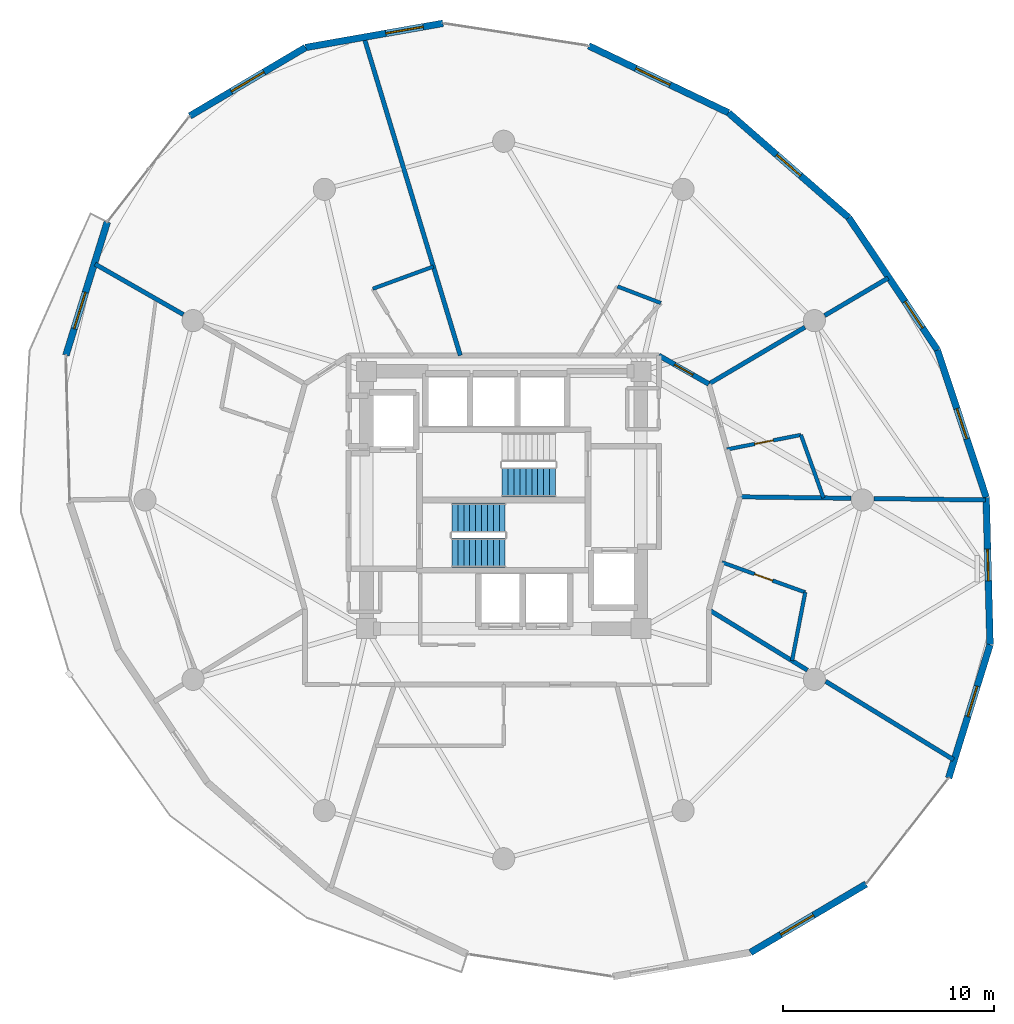
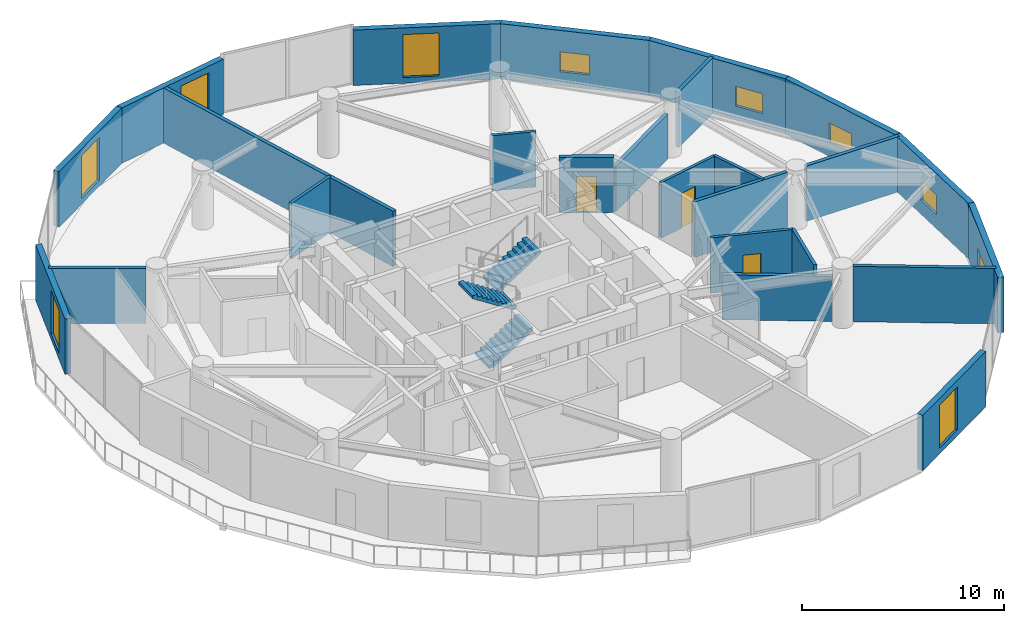
# One storey, part 17 of 20: 25 walls, 10 windows, 3 doors, 3 stair flights, 13 openings, 2 elements without a shape of their own.
"""IFC4 building model written with IfcOpenShell, lengths in metres."""

from ifc_helpers import new_model, si_unit, direction, frame, frame_2d, origin, place, context, subcontext, project, spatial, polyline, rectangle, outline, extrude, material, layer, layer_set, type_object, element, fill, aggregate, save


model = new_model("IFC4")

# Units and contexts
model_context = context("Model", 3, precision=1e-05, world=origin(), true_north=direction((0.0, 1.0)))
body_context = subcontext(model_context, "Body", "Model", "MODEL_VIEW")
ifc_project = project(units=[si_unit("LENGTHUNIT", "METRE"), si_unit("AREAUNIT", "SQUARE_METRE"), si_unit("VOLUMEUNIT", "CUBIC_METRE"), si_unit("PLANEANGLEUNIT", "RADIAN"), si_unit("MASSUNIT", "GRAM", prefix="KILO")], contexts=[model_context])

# Site, building, storey
site_placement = place(None, origin())
site = spatial("IfcSite", under=ifc_project, at=site_placement, CompositionType="ELEMENT")
building_placement = place(site_placement, origin())
building = spatial("IfcBuilding", under=site, at=building_placement, Name="Solvirekh Grand Hotel", CompositionType="ELEMENT")
storey_placement = place(building_placement, frame((0.0, 0.0, 156.60009765625)))
storey = spatial("IfcBuildingStorey", under=building, at=storey_placement, Name="L40", CompositionType="ELEMENT", Elevation=156.60009765625)

# Wall, opening, window
ifc_material_1 = material(Name="Precast concrete C45/55", Category="concrete")
ifc_layer_1 = layer(ifc_material_1, 0.320068359375)
ifc_layer_set_1 = layer_set([ifc_layer_1], Name="Precast concrete C45/55")
wall_type_1 = type_object("IfcWallType", Name="ExtLobbyWall_RC320", PredefinedType="SOLIDWALL", material=ifc_layer_set_1)
wall_1_placement = place(storey_placement, frame((23.048095703125, -6.860107421875, 0.0), z_axis=(0.0, 0.0, 1.0), x_axis=(-0.296546675367, -0.955018360729, 0.0)))
wall_1 = element("IfcWall", 1, at=wall_1_placement, inside=storey, type_object=wall_type_1, Name="L40 cantilevered deck support wall chord 2", PredefinedType="SOLIDWALL", context=body_context, shape_type="SweptSolid", body=[
    extrude(rectangle(XDim=6.61328125, YDim=0.320068359375, at=frame_2d((3.306640625, 0.0))), origin(), (0.0, 0.0, 1.0), 3.349853515625),
])
opening_1_placement = place(wall_1_placement, frame((2.05810546875, 0.0, 0.85009765625)))
opening_1 = element("IfcOpeningElement", 2, at=opening_1_placement, cuts=wall_1, Name="Opening W05", PredefinedType="OPENING", context=body_context, shape_type="SweptSolid", body=[
    extrude(rectangle(XDim=1.5, YDim=1.199951171875, at=frame_2d((0.75, 0.60009765625))), frame((0.0, 0.169921875, 0.0), z_axis=(0.0, -1.0, 0.0), x_axis=(1.0, 0.0, 0.0)), (0.0, 0.0, 1.0), 0.340087890625),
])
ifc_material_2 = material(Name="Low-E Tinted Bronze Laminated Glass", Category="aluminium")
window_type_1 = type_object("IfcWindowType", Name="Win_PlantVent_1500X1200", PartitioningType="SINGLE_PANEL", PredefinedType="WINDOW", material=ifc_material_2)
window_1_placement = place(opening_1_placement, origin())
window_1 = element("IfcWindow", 3, at=window_1_placement, inside=storey, type_object=window_type_1, Name="L40 bronze-framed vision ribbon window 2", OverallHeight=1.199951171875, OverallWidth=1.5, PartitioningType="SINGLE_PANEL", PredefinedType="WINDOW", context=body_context, shape_type="SweptSolid", body=[
    extrude(rectangle(XDim=1.5, YDim=1.199951171875, at=frame_2d((0.75, 0.60009765625))), frame((0.0, 0.030029296875, 0.0), z_axis=(0.0, -1.0, 0.0), x_axis=(1.0, 0.0, 0.0)), (0.0, 0.0, 1.0), 0.06005859375),
])
fill(opening_1, window_1)

wall_2_placement = place(storey_placement, frame((22.864990234375, 0.126953125, 0.0), z_axis=(0.0, 0.0, 1.0), x_axis=(0.026197372112, -0.999656789951, 0.0)))
wall_2 = element("IfcWall", 4, at=wall_2_placement, inside=storey, type_object=wall_type_1, Name="L40 cantilevered deck support wall chord 3", PredefinedType="SOLIDWALL", context=body_context, shape_type="SweptSolid", body=[
    extrude(rectangle(XDim=6.989501953125, YDim=0.320068359375, at=frame_2d((3.49462890625, 0.0))), origin(), (0.0, 0.0, 1.0), 3.349853515625),
])
opening_2_placement = place(wall_2_placement, frame((2.4580078125, 0.0, 0.85009765625)))
opening_2 = element("IfcOpeningElement", 5, at=opening_2_placement, cuts=wall_2, Name="Opening W05", PredefinedType="OPENING", context=body_context, shape_type="SweptSolid", body=[
    extrude(rectangle(XDim=1.5, YDim=1.199951171875, at=frame_2d((0.75, 0.60009765625))), frame((0.0, 0.169921875, 0.0), z_axis=(0.0, -1.0, 0.0), x_axis=(1.0, 0.0, 0.0)), (0.0, 0.0, 1.0), 0.340087890625),
])
window_2_placement = place(opening_2_placement, origin())
window_2 = element("IfcWindow", 6, at=window_2_placement, inside=storey, type_object=window_type_1, Name="L40 bronze-framed vision ribbon window 3", OverallHeight=1.199951171875, OverallWidth=1.5, PartitioningType="SINGLE_PANEL", PredefinedType="WINDOW", context=body_context, shape_type="SweptSolid", body=[
    extrude(rectangle(XDim=1.5, YDim=1.199951171875, at=frame_2d((0.75, 0.60009765625))), frame((0.0, 0.030029296875, 0.0), z_axis=(0.0, -1.0, 0.0), x_axis=(1.0, 0.0, 0.0)), (0.0, 0.0, 1.0), 0.06005859375),
])
fill(opening_2, window_2)

wall_3_placement = place(storey_placement, frame((20.556884765625, 7.10205078125, 0.0), z_axis=(0.0, 0.0, 1.0), x_axis=(0.314153478082, -0.94937220952, 0.0)))
wall_3 = element("IfcWall", 7, at=wall_3_placement, inside=storey, type_object=wall_type_1, Name="L40 cantilevered deck support wall chord 4", PredefinedType="SOLIDWALL", context=body_context, shape_type="SweptSolid", body=[
    extrude(rectangle(XDim=7.34716796875, YDim=0.320068359375, at=frame_2d((3.673583984375, 0.0))), origin(), (0.0, 0.0, 1.0), 3.349853515625),
])
opening_3_placement = place(wall_3_placement, frame((2.923095703125, 0.0, 0.85009765625)))
opening_3 = element("IfcOpeningElement", 8, at=opening_3_placement, cuts=wall_3, Name="Opening W05", PredefinedType="OPENING", context=body_context, shape_type="SweptSolid", body=[
    extrude(rectangle(XDim=1.5, YDim=1.199951171875, at=frame_2d((0.75, 0.60009765625))), frame((0.0, 0.169921875, 0.0), z_axis=(0.0, -1.0, 0.0), x_axis=(1.0, 0.0, 0.0)), (0.0, 0.0, 1.0), 0.340087890625),
])
window_3_placement = place(opening_3_placement, origin())
window_3 = element("IfcWindow", 9, at=window_3_placement, inside=storey, type_object=window_type_1, Name="L40 bronze-framed vision ribbon window 4", OverallHeight=1.199951171875, OverallWidth=1.5, PartitioningType="SINGLE_PANEL", PredefinedType="WINDOW", context=body_context, shape_type="SweptSolid", body=[
    extrude(rectangle(XDim=1.5, YDim=1.199951171875, at=frame_2d((0.75, 0.60009765625))), frame((0.0, 0.030029296875, 0.0), z_axis=(0.0, -1.0, 0.0), x_axis=(1.0, 0.0, 0.0)), (0.0, 0.0, 1.0), 0.06005859375),
])
fill(opening_3, window_3)

wall_4_placement = place(storey_placement, frame((16.34912109375, 13.381103515625, 0.0), z_axis=(0.0, 0.0, 1.0), x_axis=(0.556688780243, -0.830721133685, 0.0)))
wall_4 = element("IfcWall", 10, at=wall_4_placement, inside=storey, type_object=wall_type_1, Name="L40 cantilevered deck support wall chord 5", PredefinedType="SOLIDWALL", context=body_context, shape_type="SweptSolid", body=[
    extrude(rectangle(XDim=7.55859375, YDim=0.320068359375, at=frame_2d((3.779296875, 0.0))), origin(), (0.0, 0.0, 1.0), 3.349853515625),
])
opening_4_placement = place(wall_4_placement, frame((4.7890625, 0.0, 0.85009765625)))
opening_4 = element("IfcOpeningElement", 11, at=opening_4_placement, cuts=wall_4, Name="Opening W05", PredefinedType="OPENING", context=body_context, shape_type="SweptSolid", body=[
    extrude(rectangle(XDim=1.5, YDim=1.199951171875, at=frame_2d((0.75, 0.60009765625))), frame((0.0, 0.169921875, 0.0), z_axis=(0.0, -1.0, 0.0), x_axis=(1.0, 0.0, 0.0)), (0.0, 0.0, 1.0), 0.340087890625),
])
window_4_placement = place(opening_4_placement, origin())
window_4 = element("IfcWindow", 12, at=window_4_placement, inside=storey, type_object=window_type_1, Name="L40 bronze-framed vision ribbon window 5", OverallHeight=1.199951171875, OverallWidth=1.5, PartitioningType="SINGLE_PANEL", PredefinedType="WINDOW", context=body_context, shape_type="SweptSolid", body=[
    extrude(rectangle(XDim=1.5, YDim=1.199951171875, at=frame_2d((0.75, 0.60009765625))), frame((0.0, 0.030029296875, 0.0), z_axis=(0.0, -1.0, 0.0), x_axis=(1.0, 0.0, 0.0)), (0.0, 0.0, 1.0), 0.06005859375),
])
fill(opening_4, window_4)

wall_5_placement = place(storey_placement, frame((10.653076171875, 18.35107421875, 0.0), z_axis=(0.0, 0.0, 1.0), x_axis=(0.753498250632, -0.657449911624, 0.0)))
wall_5 = element("IfcWall", 13, at=wall_5_placement, inside=storey, type_object=wall_type_1, Name="L40 cantilevered deck support wall chord 6", PredefinedType="SOLIDWALL", context=body_context, shape_type="SweptSolid", body=[
    extrude(rectangle(XDim=7.5595703125, YDim=0.320068359375, at=frame_2d((3.77978515625, 0.0))), origin(), (0.0, 0.0, 1.0), 3.349853515625),
])
opening_5_placement = place(wall_5_placement, frame((3.030029296875, 0.0, 0.85009765625)))
opening_5 = element("IfcOpeningElement", 14, at=opening_5_placement, cuts=wall_5, Name="Opening W05", PredefinedType="OPENING", context=body_context, shape_type="SweptSolid", body=[
    extrude(rectangle(XDim=1.5, YDim=1.199951171875, at=frame_2d((0.75, 0.60009765625))), frame((0.0, 0.169921875, 0.0), z_axis=(0.0, -1.0, 0.0), x_axis=(1.0, 0.0, 0.0)), (0.0, 0.0, 1.0), 0.340087890625),
])
window_5_placement = place(opening_5_placement, origin())
window_5 = element("IfcWindow", 15, at=window_5_placement, inside=storey, type_object=window_type_1, Name="L40 bronze-framed vision ribbon window 6", OverallHeight=1.199951171875, OverallWidth=1.5, PartitioningType="SINGLE_PANEL", PredefinedType="WINDOW", context=body_context, shape_type="SweptSolid", body=[
    extrude(rectangle(XDim=1.5, YDim=1.199951171875, at=frame_2d((0.75, 0.60009765625))), frame((0.0, 0.030029296875, 0.0), z_axis=(0.0, -1.0, 0.0), x_axis=(1.0, 0.0, 0.0)), (0.0, 0.0, 1.0), 0.06005859375),
])
fill(opening_5, window_5)

wall_6_placement = place(storey_placement, frame((4.028076171875, 21.52392578125, 0.0), z_axis=(0.0, 0.0, 1.0), x_axis=(0.901902357259, -0.431939970332, 0.0)))
wall_6 = element("IfcWall", 16, at=wall_6_placement, inside=storey, type_object=wall_type_1, Name="L40 exterior structural wall chord 7", PredefinedType="SOLIDWALL", context=body_context, shape_type="SweptSolid", body=[
    extrude(rectangle(XDim=7.345703125, YDim=0.320068359375, at=frame_2d((3.6728515625, 0.0))), origin(), (0.0, 0.0, 1.0), 3.349853515625),
])
opening_6_placement = place(wall_6_placement, frame((2.47412109375, 0.0, 0.35009765625)))
opening_6 = element("IfcOpeningElement", 17, at=opening_6_placement, cuts=wall_6, Name="Opening W02", PredefinedType="OPENING", context=body_context, shape_type="SweptSolid", body=[
    extrude(rectangle(XDim=1.800048828125, YDim=2.60009765625, at=frame_2d((0.89990234375, 1.300048828125))), frame((0.0, 0.169921875, 0.0), z_axis=(0.0, -1.0, 0.0), x_axis=(1.0, 0.0, 0.0)), (0.0, 0.0, 1.0), 0.340087890625),
])
window_type_2 = type_object("IfcWindowType", Name="Win_LobbyExt_1800X2600", PartitioningType="SINGLE_PANEL", PredefinedType="WINDOW", material=ifc_material_2)
window_6_placement = place(opening_6_placement, origin())
window_6 = element("IfcWindow", 18, at=window_6_placement, inside=storey, type_object=window_type_2, Name="L40 panoramic bronze-framed window 7", OverallHeight=2.60009765625, OverallWidth=1.800048828125, PartitioningType="SINGLE_PANEL", PredefinedType="WINDOW", context=body_context, shape_type="SweptSolid", body=[
    extrude(rectangle(XDim=1.800048828125, YDim=2.60009765625, at=frame_2d((0.89990234375, 1.300048828125))), frame((0.0, 0.030029296875, 0.0), z_axis=(0.0, -1.0, 0.0), x_axis=(1.0, 0.0, 0.0)), (0.0, 0.0, 1.0), 0.06005859375),
])
fill(opening_6, window_6)

wall_7_placement = place(storey_placement, frame((-9.39306640625, 21.445068359375, 0.0), z_axis=(0.0, 0.0, 1.0), x_axis=(0.984896334406, 0.173145056165, 0.0)))
wall_7 = element("IfcWall", 19, at=wall_7_placement, inside=storey, type_object=wall_type_1, Name="L40 exterior structural wall chord 9", PredefinedType="SOLIDWALL", context=body_context, shape_type="SweptSolid", body=[
    extrude(rectangle(XDim=6.613037109375, YDim=0.320068359375, at=frame_2d((3.306640625, 0.0))), origin(), (0.0, 0.0, 1.0), 3.349853515625),
])
opening_7_placement = place(wall_7_placement, frame((3.865966796875, 0.0, 0.35009765625)))
opening_7 = element("IfcOpeningElement", 20, at=opening_7_placement, cuts=wall_7, Name="Opening W02", PredefinedType="OPENING", context=body_context, shape_type="SweptSolid", body=[
    extrude(rectangle(XDim=1.800048828125, YDim=2.60009765625, at=frame_2d((0.89990234375, 1.300048828125))), frame((0.0, 0.169921875, 0.0), z_axis=(0.0, -1.0, 0.0), x_axis=(1.0, 0.0, 0.0)), (0.0, 0.0, 1.0), 0.340087890625),
])
window_7_placement = place(opening_7_placement, origin())
window_7 = element("IfcWindow", 21, at=window_7_placement, inside=storey, type_object=window_type_2, Name="L40 panoramic bronze-framed window 9", OverallHeight=2.60009765625, OverallWidth=1.800048828125, PartitioningType="SINGLE_PANEL", PredefinedType="WINDOW", context=body_context, shape_type="SweptSolid", body=[
    extrude(rectangle(XDim=1.800048828125, YDim=2.60009765625, at=frame_2d((0.89990234375, 1.300048828125))), frame((0.0, 0.030029296875, 0.0), z_axis=(0.0, -1.0, 0.0), x_axis=(1.0, 0.0, 0.0)), (0.0, 0.0, 1.0), 0.06005859375),
])
fill(opening_7, window_7)

wall_8_placement = place(storey_placement, frame((-14.8740234375, 18.200927734375, 0.0), z_axis=(0.0, 0.0, 1.0), x_axis=(0.860555423253, 0.50935681355, 0.0)))
wall_8 = element("IfcWall", 22, at=wall_8_placement, inside=storey, type_object=wall_type_1, Name="L40 exterior structural wall chord 10", PredefinedType="SOLIDWALL", context=body_context, shape_type="SweptSolid", body=[
    extrude(rectangle(XDim=6.369140625, YDim=0.320068359375, at=frame_2d((3.1845703125, 0.0))), origin(), (0.0, 0.0, 1.0), 3.349853515625),
])
opening_8_placement = place(wall_8_placement, frame((2.284912109375, 0.0, 0.35009765625)))
opening_8 = element("IfcOpeningElement", 23, at=opening_8_placement, cuts=wall_8, Name="Opening W02", PredefinedType="OPENING", context=body_context, shape_type="SweptSolid", body=[
    extrude(rectangle(XDim=1.800048828125, YDim=2.60009765625, at=frame_2d((0.89990234375, 1.300048828125))), frame((0.0, 0.169921875, 0.0), z_axis=(0.0, -1.0, 0.0), x_axis=(1.0, 0.0, 0.0)), (0.0, 0.0, 1.0), 0.340087890625),
])
window_8_placement = place(opening_8_placement, origin())
window_8 = element("IfcWindow", 24, at=window_8_placement, inside=storey, type_object=window_type_2, Name="L40 panoramic bronze-framed window 10", OverallHeight=2.60009765625, OverallWidth=1.800048828125, PartitioningType="SINGLE_PANEL", PredefinedType="WINDOW", context=body_context, shape_type="SweptSolid", body=[
    extrude(rectangle(XDim=1.800048828125, YDim=2.60009765625, at=frame_2d((0.89990234375, 1.300048828125))), frame((0.0, 0.030029296875, 0.0), z_axis=(0.0, -1.0, 0.0), x_axis=(1.0, 0.0, 0.0)), (0.0, 0.0, 1.0), 0.06005859375),
])
fill(opening_8, window_8)

wall_9_placement = place(storey_placement, frame((-20.748046875, 6.860107421875, 0.0), z_axis=(0.0, 0.0, 1.0), x_axis=(0.296513005153, 0.955028815154, 0.0)))
wall_9 = element("IfcWall", 25, at=wall_9_placement, inside=storey, type_object=wall_type_1, Name="L40 exterior structural wall chord 12", PredefinedType="SOLIDWALL", context=body_context, shape_type="SweptSolid", body=[
    extrude(rectangle(XDim=6.61328125, YDim=0.320068359375, at=frame_2d((3.306640625, 0.0))), origin(), (0.0, 0.0, 1.0), 3.349853515625),
])
opening_9_placement = place(wall_9_placement, frame((1.318115234375, 0.0, 0.35009765625)))
opening_9 = element("IfcOpeningElement", 26, at=opening_9_placement, cuts=wall_9, Name="Opening W02", PredefinedType="OPENING", context=body_context, shape_type="SweptSolid", body=[
    extrude(rectangle(XDim=1.800048828125, YDim=2.60009765625, at=frame_2d((0.89990234375, 1.300048828125))), frame((0.0, 0.169921875, 0.0), z_axis=(0.0, -1.0, 0.0), x_axis=(1.0, 0.0, 0.0)), (0.0, 0.0, 1.0), 0.340087890625),
])
window_9_placement = place(opening_9_placement, origin())
window_9 = element("IfcWindow", 27, at=window_9_placement, inside=storey, type_object=window_type_2, Name="L40 panoramic bronze-framed window 12", OverallHeight=2.60009765625, OverallWidth=1.800048828125, PartitioningType="SINGLE_PANEL", PredefinedType="WINDOW", context=body_context, shape_type="SweptSolid", body=[
    extrude(rectangle(XDim=1.800048828125, YDim=2.60009765625, at=frame_2d((0.89990234375, 1.300048828125))), frame((0.0, 0.030029296875, 0.0), z_axis=(0.0, -1.0, 0.0), x_axis=(1.0, 0.0, 0.0)), (0.0, 0.0, 1.0), 0.06005859375),
])
fill(opening_9, window_9)

wall_10_placement = place(storey_placement, frame((17.174072265625, -18.200927734375, 0.0), z_axis=(0.0, 0.0, 1.0), x_axis=(-0.860555423253, -0.50935681355, 0.0)))
wall_10 = element("IfcWall", 28, at=wall_10_placement, inside=storey, type_object=wall_type_1, Name="L40 exterior structural wall chord 20", PredefinedType="SOLIDWALL", context=body_context, shape_type="SweptSolid", body=[
    extrude(rectangle(XDim=6.369140625, YDim=0.320068359375, at=frame_2d((3.1845703125, 0.0))), origin(), (0.0, 0.0, 1.0), 3.349853515625),
])
opening_10_placement = place(wall_10_placement, frame((2.90087890625, 0.0, 0.35009765625)))
opening_10 = element("IfcOpeningElement", 29, at=opening_10_placement, cuts=wall_10, Name="Opening W02", PredefinedType="OPENING", context=body_context, shape_type="SweptSolid", body=[
    extrude(rectangle(XDim=1.800048828125, YDim=2.60009765625, at=frame_2d((0.89990234375, 1.300048828125))), frame((0.0, 0.169921875, 0.0), z_axis=(0.0, -1.0, 0.0), x_axis=(1.0, 0.0, 0.0)), (0.0, 0.0, 1.0), 0.340087890625),
])
window_10_placement = place(opening_10_placement, origin())
window_10 = element("IfcWindow", 30, at=window_10_placement, inside=storey, type_object=window_type_2, Name="L40 panoramic bronze-framed window 20", OverallHeight=2.60009765625, OverallWidth=1.800048828125, PartitioningType="SINGLE_PANEL", PredefinedType="WINDOW", context=body_context, shape_type="SweptSolid", body=[
    extrude(rectangle(XDim=1.800048828125, YDim=2.60009765625, at=frame_2d((0.89990234375, 1.300048828125))), frame((0.0, 0.030029296875, 0.0), z_axis=(0.0, -1.0, 0.0), x_axis=(1.0, 0.0, 0.0)), (0.0, 0.0, 1.0), 0.06005859375),
])
fill(opening_10, window_10)

# Wall, opening, door
ifc_material_3 = material(Name="Acoustic Gypsum Partition Assembly")
ifc_layer_2 = layer(ifc_material_3, 0.239990234375)
ifc_layer_set_2 = layer_set([ifc_layer_2], Name="Acoustic Gypsum Partition Assembly")
wall_type_2 = type_object("IfcWallType", Name="Part_Corridor_240", PredefinedType="PARTITIONING", material=ifc_layer_set_2)
wall_11_placement = place(storey_placement, frame((7.35009765625, 6.85009765625, 0.0), z_axis=(0.0, 0.0, 1.0), x_axis=(0.868892391395, -0.495001022398, 0.0)))
wall_11 = element("IfcWall", 31, at=wall_11_placement, inside=storey, type_object=wall_type_2, Name="L40 Deluxe Guestroom 4201 entrance wall", PredefinedType="PARTITIONING", context=body_context, shape_type="SweptSolid", body=[
    extrude(rectangle(XDim=2.7275390625, YDim=0.239990234375, at=frame_2d((1.36376953125, 0.0))), origin(), (0.0, 0.0, 1.0), 3.349853515625),
])
opening_11_placement = place(wall_11_placement, frame((0.864013671875, 0.0, 0.0)))
opening_11 = element("IfcOpeningElement", 32, at=opening_11_placement, cuts=wall_11, Name="Opening D07", PredefinedType="OPENING", context=body_context, shape_type="SweptSolid", body=[
    extrude(rectangle(XDim=1.0, YDim=2.199951171875, at=frame_2d((0.5, 1.10009765625))), frame((0.0, 0.1298828125, 0.0), z_axis=(0.0, -1.0, 0.0), x_axis=(1.0, 0.0, 0.0)), (0.0, 0.0, 1.0), 0.260009765625),
])
ifc_material_4 = material(Name="Fire-Rated Steel Door Assembly", Category="steel")
door_type_1 = type_object("IfcDoorType", Name="Door_GuestEntry_1000X2200", OperationType="NOTDEFINED", PredefinedType="DOOR", material=ifc_material_4)
door_1_placement = place(opening_11_placement, origin())
door_1 = element("IfcDoor", 33, at=door_1_placement, inside=storey, type_object=door_type_1, Name="L40 Deluxe Guestroom 4201 entrance door", OperationType="SINGLE_SWING_LEFT", OverallHeight=2.199951171875, OverallWidth=1.0, PredefinedType="DOOR", context=body_context, shape_type="SweptSolid", body=[
    extrude(rectangle(XDim=1.0, YDim=2.199951171875, at=frame_2d((0.5, 1.10009765625))), frame((0.0, 0.02490234375, 0.0), z_axis=(0.0, -1.0, 0.0), x_axis=(1.0, 0.0, 0.0)), (0.0, 0.0, 1.0), 0.050048828125),
])
fill(opening_11, door_1)

# Walls
ifc_layer_3 = layer(ifc_material_3, 0.2099609375)
ifc_layer_set_3 = layer_set([ifc_layer_3], Name="Acoustic Gypsum Partition Assembly")
wall_type_3 = type_object("IfcWallType", Name="Part_SuiteDemise_210", PredefinedType="PARTITIONING", material=ifc_layer_set_3)
wall_12_placement = place(storey_placement, frame((11.199951171875, 0.14990234375, 0.0), z_axis=(0.0, 0.0, 1.0), x_axis=(0.99991679467, -0.012899757247, 0.0)))
element("IfcWall", 34, at=wall_12_placement, inside=storey, type_object=wall_type_3, Name="L40 suite radial wall 1 (A)", PredefinedType="PARTITIONING", context=body_context, shape_type="SweptSolid", body=[
    extrude(rectangle(XDim=5.261474609375, YDim=0.2099609375, at=frame_2d((2.630859375, 0.0))), origin(), (0.0, 0.0, 1.0), 3.349853515625),
])
wall_13_placement = place(storey_placement, frame((17.541015625, 0.068115234375, 0.0), z_axis=(0.0, 0.0, 1.0), x_axis=(0.9999170134, -0.012882791353, 0.0)))
element("IfcWall", 35, at=wall_13_placement, inside=storey, type_object=wall_type_3, Name="L40 suite radial wall 1 (B)", PredefinedType="PARTITIONING", context=body_context, shape_type="SweptSolid", body=[
    extrude(rectangle(XDim=5.287353515625, YDim=0.2099609375, at=frame_2d((2.6435546875, 0.0))), origin(), (0.0, 0.0, 1.0), 3.349853515625),
])
wall_14_placement = place(storey_placement, frame((9.719970703125, 5.5, 0.0), z_axis=(0.0, 0.0, 1.0), x_axis=(0.861092827296, 0.508447777829, 0.0)))
element("IfcWall", 36, at=wall_14_placement, inside=storey, type_object=wall_type_3, Name="L40 suite radial wall 2 (A)", PredefinedType="PARTITIONING", context=body_context, shape_type="SweptSolid", body=[
    extrude(rectangle(XDim=5.28857421875, YDim=0.2099609375, at=frame_2d((2.644287109375, 0.0))), origin(), (0.0, 0.0, 1.0), 2.716796875),
])
wall_15_placement = place(storey_placement, frame((15.2099609375, 8.741943359375, 0.0), z_axis=(0.0, 0.0, 1.0), x_axis=(0.861047505043, 0.508524526508, 0.0)))
element("IfcWall", 37, at=wall_15_placement, inside=storey, type_object=wall_type_3, Name="L40 suite radial wall 2 (B)", PredefinedType="PARTITIONING", context=body_context, shape_type="SweptSolid", body=[
    extrude(rectangle(XDim=3.49462890625, YDim=0.2099609375, at=frame_2d((1.747314453125, 0.0))), origin(), (0.0, 0.0, 1.0), 3.349853515625),
])
wall_16_placement = place(storey_placement, frame((-15.18310546875, 8.791015625, 0.0), z_axis=(0.0, 0.0, 1.0), x_axis=(-0.868271208713, 0.496089818601, 0.0)))
element("IfcWall", 38, at=wall_16_placement, inside=storey, type_object=wall_type_3, Name="L40 suite radial wall 6 (B)", PredefinedType="PARTITIONING", context=body_context, shape_type="SweptSolid", body=[
    extrude(rectangle(XDim=4.8173828125, YDim=0.2099609375, at=frame_2d((2.40869140625, 0.0))), origin(), (0.0, 0.0, 1.0), 3.349853515625),
])
wall_17_placement = place(storey_placement, frame((9.719970703125, -5.199951171875, 0.0), z_axis=(0.0, 0.0, 1.0), x_axis=(0.852582050819, -0.52259338555, 0.0)))
element("IfcWall", 39, at=wall_17_placement, inside=storey, type_object=wall_type_3, Name="L40 suite radial wall 12 (A)", PredefinedType="PARTITIONING", context=body_context, shape_type="SweptSolid", body=[
    extrude(rectangle(XDim=5.482177734375, YDim=0.2099609375, at=frame_2d((2.7412109375, 0.0))), origin(), (0.0, 0.0, 1.0), 2.716796875),
])
wall_18_placement = place(storey_placement, frame((15.259033203125, -8.594970703125, 0.0), z_axis=(0.0, 0.0, 1.0), x_axis=(0.852624466561, -0.522524180322, 0.0)))
element("IfcWall", 40, at=wall_18_placement, inside=storey, type_object=wall_type_3, Name="L40 suite radial wall 12 (B)", PredefinedType="PARTITIONING", context=body_context, shape_type="SweptSolid", body=[
    extrude(rectangle(XDim=7.103759765625, YDim=0.2099609375, at=frame_2d((3.5517578125, 0.0))), origin(), (0.0, 0.0, 1.0), 3.349853515625),
])
wall_19_placement = place(storey_placement, frame((-2.05810546875, 6.85009765625, 0.0), z_axis=(0.0, 0.0, 1.0), x_axis=(-0.289612905442, 0.957143858049, 0.0)))
element("IfcWall", 41, at=wall_19_placement, inside=storey, type_object=wall_type_3, Name="L40 Panorama Suite 4201 North Observatory Study dividing partition 1", PredefinedType="PARTITIONING", context=body_context, shape_type="SweptSolid", body=[
    extrude(rectangle(XDim=15.717529296875, YDim=0.2099609375, at=frame_2d((7.85888671875, 0.0))), origin(), (0.0, 0.0, 1.0), 3.349853515625),
])
ifc_layer_4 = layer(ifc_material_3, 0.175048828125)
ifc_layer_set_4 = layer_set([ifc_layer_4], Name="Acoustic Gypsum Partition Assembly")
wall_type_4 = type_object("IfcWallType", Name="Plumb_Ensuite_175", PredefinedType="PLUMBINGWALL", material=ifc_layer_set_4)
wall_20_placement = place(storey_placement, frame((5.39306640625, 10.1201171875, 0.0), z_axis=(0.0, 0.0, 1.0), x_axis=(0.933965679014, -0.357362715492, 0.0)))
element("IfcWall", 42, at=wall_20_placement, inside=storey, type_object=wall_type_4, Name="L40 En-suite Bathroom 4201 outer plumbing wall", PredefinedType="PLUMBINGWALL", context=body_context, shape_type="SweptSolid", body=[
    extrude(rectangle(XDim=2.197021484375, YDim=0.175048828125, at=frame_2d((1.0986328125, 0.0))), origin(), (0.0, 0.0, 1.0), 3.349853515625),
])
wall_21_placement = place(storey_placement, frame((-6.202880859375, 10.011962890625, 0.0), z_axis=(0.0, 0.0, 1.0), x_axis=(0.939112792054, 0.343609027531, 0.0)))
element("IfcWall", 43, at=wall_21_placement, inside=storey, type_object=wall_type_4, Name="L40 En-suite Bathroom 4202 outer plumbing wall", PredefinedType="PLUMBINGWALL", context=body_context, shape_type="SweptSolid", body=[
    extrude(rectangle(XDim=3.055908203125, YDim=0.175048828125, at=frame_2d((1.52783203125, 0.0))), origin(), (0.0, 0.0, 1.0), 3.349853515625),
])
wall_22_placement = place(storey_placement, frame((13.6630859375, -7.615966796875, 0.0), z_axis=(0.0, 0.0, 1.0), x_axis=(0.189695238056, 0.981843020375, 0.0)))
element("IfcWall", 44, at=wall_22_placement, inside=storey, type_object=wall_type_4, Name="L40 En-suite Bathroom 4204 outer plumbing wall", PredefinedType="PLUMBINGWALL", context=body_context, shape_type="SweptSolid", body=[
    extrude(rectangle(XDim=3.2998046875, YDim=0.175048828125, at=frame_2d((1.64990234375, 0.0))), origin(), (0.0, 0.0, 1.0), 3.349853515625),
])

# Wall, opening, door
wall_23_placement = place(storey_placement, frame((10.342041015625, -2.952880859375, 0.0), z_axis=(0.0, 0.0, 1.0), x_axis=(0.940722627473, -0.33917685381, 0.0)))
wall_23 = element("IfcWall", 45, at=wall_23_placement, inside=storey, type_object=wall_type_4, Name="L40 En-suite Bathroom 4204 entry plumbing wall", PredefinedType="PLUMBINGWALL", context=body_context, shape_type="SweptSolid", body=[
    extrude(rectangle(XDim=4.19580078125, YDim=0.175048828125, at=frame_2d((2.097900390625, 0.0))), origin(), (0.0, 0.0, 1.0), 3.349853515625),
])
opening_12_placement = place(wall_23_placement, frame((1.64794921875, 0.0, 0.0)))
opening_12 = element("IfcOpeningElement", 46, at=opening_12_placement, cuts=wall_23, Name="Opening D09", PredefinedType="OPENING", context=body_context, shape_type="SweptSolid", body=[
    extrude(rectangle(XDim=0.89990234375, YDim=2.10009765625, at=frame_2d((0.449951171875, 1.050048828125))), frame((0.0, 0.09765625, 0.0), z_axis=(0.0, -1.0, 0.0), x_axis=(1.0, 0.0, 0.0)), (0.0, 0.0, 1.0), 0.195068359375),
])
ifc_material_5 = material(Name="Anodized Bronze Aluminium 6063-T6", Category="aluminium")
door_type_2 = type_object("IfcDoorType", Name="Door_Ensuite_900X2100", OperationType="NOTDEFINED", PredefinedType="DOOR", material=ifc_material_5)
door_2_placement = place(opening_12_placement, origin())
door_2 = element("IfcDoor", 47, at=door_2_placement, inside=storey, type_object=door_type_2, Name="L40 En-suite Bathroom 4204 door", OperationType="SINGLE_SWING_LEFT", OverallHeight=2.10009765625, OverallWidth=0.89990234375, PredefinedType="DOOR", context=body_context, shape_type="SweptSolid", body=[
    extrude(rectangle(XDim=0.89990234375, YDim=2.10009765625, at=frame_2d((0.449951171875, 1.050048828125))), frame((0.0, 0.02490234375, 0.0), z_axis=(0.0, -1.0, 0.0), x_axis=(1.0, 0.0, 0.0)), (0.0, 0.0, 1.0), 0.050048828125),
])
fill(opening_12, door_2)

# Wall
wall_24_placement = place(storey_placement, frame((15.154052734375, 0.09912109375, 0.0), z_axis=(0.0, 0.0, 1.0), x_axis=(-0.337194784979, 0.94143490321, 0.0)))
element("IfcWall", 48, at=wall_24_placement, inside=storey, type_object=wall_type_4, Name="L40 En-suite Bathroom 4205 outer plumbing wall", PredefinedType="PLUMBINGWALL", context=body_context, shape_type="SweptSolid", body=[
    extrude(rectangle(XDim=3.170654296875, YDim=0.175048828125, at=frame_2d((1.58544921875, 0.0))), origin(), (0.0, 0.0, 1.0), 3.349853515625),
])

# Wall, opening, door
wall_25_placement = place(storey_placement, frame((10.577880859375, 2.39697265625, 0.0), z_axis=(0.0, 0.0, 1.0), x_axis=(0.981348131886, 0.192239028411, 0.0)))
wall_25 = element("IfcWall", 49, at=wall_25_placement, inside=storey, type_object=wall_type_4, Name="L40 En-suite Bathroom 4205 entry plumbing wall", PredefinedType="PLUMBINGWALL", context=body_context, shape_type="SweptSolid", body=[
    extrude(rectangle(XDim=3.57373046875, YDim=0.175048828125, at=frame_2d((1.786865234375, 0.0))), origin(), (0.0, 0.0, 1.0), 3.349853515625),
])
opening_13_placement = place(wall_25_placement, frame((1.3369140625, 0.0, 0.0)))
opening_13 = element("IfcOpeningElement", 50, at=opening_13_placement, cuts=wall_25, Name="Opening D09", PredefinedType="OPENING", context=body_context, shape_type="SweptSolid", body=[
    extrude(rectangle(XDim=0.89990234375, YDim=2.10009765625, at=frame_2d((0.449951171875, 1.050048828125))), frame((0.0, 0.09765625, 0.0), z_axis=(0.0, -1.0, 0.0), x_axis=(1.0, 0.0, 0.0)), (0.0, 0.0, 1.0), 0.195068359375),
])
door_3_placement = place(opening_13_placement, origin())
door_3 = element("IfcDoor", 51, at=door_3_placement, inside=storey, type_object=door_type_2, Name="L40 En-suite Bathroom 4205 door", OperationType="SINGLE_SWING_LEFT", OverallHeight=2.10009765625, OverallWidth=0.89990234375, PredefinedType="DOOR", context=body_context, shape_type="SweptSolid", body=[
    extrude(rectangle(XDim=0.89990234375, YDim=2.10009765625, at=frame_2d((0.449951171875, 1.050048828125))), frame((0.0, 0.02490234375, 0.0), z_axis=(0.0, -1.0, 0.0), x_axis=(1.0, 0.0, 0.0)), (0.0, 0.0, 1.0), 0.050048828125),
])
fill(opening_13, door_3)

# Stair, stair flights
ifc_material_6 = material(Name="Concrete C40/50", Category="concrete")
stair_type = type_object("IfcStairType", Name="Stair_Core_1450", PredefinedType="HALF_TURN_STAIR", material=ifc_material_6)
stair_1_placement = place(storey_placement, origin())
stair_1 = element("IfcStair", 52, at=stair_1_placement, inside=storey, type_object=stair_type, Name="L40 Enclosed exit stair ST-1", PredefinedType="HALF_TURN_STAIR")
stair_flight_type = type_object("IfcStairFlightType", Name="Flight_Core_1450", PredefinedType="STRAIGHT", material=ifc_material_6)
stair_flight_1_placement = place(storey_placement, frame((-2.449951171875, -2.5, 0.0), z_axis=(0.0, 0.0, 1.0), x_axis=(1.0, 0.0, 0.0)))
stair_flight_1 = element("IfcStairFlight", 53, at=stair_flight_1_placement, type_object=stair_flight_type, Name="ST-1 flight 1", NumberOfRisers=10, NumberOfTreads=9, PredefinedType="STRAIGHT", RiserHeight=0.18, TreadLength=0.28, context=body_context, shape_type="SweptSolid", body=[
    extrude(outline(polyline([(0.0, 0.0), (0.0, 0.179931640625), (0.280029296875, 0.179931640625), (0.280029296875, 0.360107421875), (0.56005859375, 0.360107421875), (0.56005859375, 0.5400390625), (0.840087890625, 0.5400390625), (0.840087890625, 0.719970703125), (1.1201171875, 0.719970703125), (1.1201171875, 0.89990234375), (1.39990234375, 0.89990234375), (1.39990234375, 1.080078125), (1.679931640625, 1.080078125), (1.679931640625, 1.260009765625), (1.9599609375, 1.260009765625), (1.9599609375, 1.43994140625), (2.239990234375, 1.43994140625), (2.239990234375, 1.6201171875), (2.52001953125, 1.6201171875), (2.52001953125, 1.800048828125), (2.52001953125, 1.44189453125), (0.277099609375, 0.0), (0.0, 0.0)])), frame((0.0, 0.699951171875, 0.0), z_axis=(0.0, -1.0, 0.0), x_axis=(1.0, 0.0, 0.0)), (0.0, 0.0, 1.0), 1.39990234375),
])
stair_flight_2_placement = place(storey_placement, frame((0.070068359375, -0.85009765625, 1.7998046875), z_axis=(0.0, 0.0, 1.0), x_axis=(-1.0, 0.0, 0.0)))
stair_flight_2 = element("IfcStairFlight", 54, at=stair_flight_2_placement, type_object=stair_flight_type, Name="ST-1 flight 2", NumberOfRisers=10, NumberOfTreads=9, PredefinedType="STRAIGHT", RiserHeight=0.18, TreadLength=0.28, context=body_context, shape_type="SweptSolid", body=[
    extrude(outline(polyline([(0.0, 0.0), (0.0, 0.179931640625), (0.280029296875, 0.179931640625), (0.280029296875, 0.360107421875), (0.56005859375, 0.360107421875), (0.56005859375, 0.5400390625), (0.840087890625, 0.5400390625), (0.840087890625, 0.719970703125), (1.1201171875, 0.719970703125), (1.1201171875, 0.89990234375), (1.39990234375, 0.89990234375), (1.39990234375, 1.080078125), (1.679931640625, 1.080078125), (1.679931640625, 1.260009765625), (1.9599609375, 1.260009765625), (1.9599609375, 1.43994140625), (2.239990234375, 1.43994140625), (2.239990234375, 1.6201171875), (2.52001953125, 1.6201171875), (2.52001953125, 1.800048828125), (2.52001953125, 1.44189453125), (0.277099609375, 0.0), (0.0, 0.0)])), frame((0.0, 0.699951171875, 0.0), z_axis=(0.0, -1.0, 0.0), x_axis=(1.0, 0.0, 0.0)), (0.0, 0.0, 1.0), 1.39990234375),
])
aggregate(stair_1, [stair_flight_1, stair_flight_2])

# Stair, stair flight
stair_2_placement = place(storey_placement, origin())
stair_2 = element("IfcStair", 55, at=stair_2_placement, inside=storey, type_object=stair_type, Name="L40 Enclosed exit stair ST-2", PredefinedType="HALF_TURN_STAIR")
stair_flight_3_placement = place(storey_placement, frame((-0.070068359375, 0.85009765625, 1.7998046875), z_axis=(0.0, 0.0, 1.0), x_axis=(1.0, 0.0, 0.0)))
stair_flight_3 = element("IfcStairFlight", 56, at=stair_flight_3_placement, type_object=stair_flight_type, Name="ST-2 flight 2", NumberOfRisers=10, NumberOfTreads=9, PredefinedType="STRAIGHT", RiserHeight=0.18, TreadLength=0.28, context=body_context, shape_type="SweptSolid", body=[
    extrude(outline(polyline([(0.0, 0.0), (0.0, 0.179931640625), (0.280029296875, 0.179931640625), (0.280029296875, 0.360107421875), (0.56005859375, 0.360107421875), (0.56005859375, 0.5400390625), (0.840087890625, 0.5400390625), (0.840087890625, 0.719970703125), (1.1201171875, 0.719970703125), (1.1201171875, 0.89990234375), (1.39990234375, 0.89990234375), (1.39990234375, 1.080078125), (1.679931640625, 1.080078125), (1.679931640625, 1.260009765625), (1.9599609375, 1.260009765625), (1.9599609375, 1.43994140625), (2.239990234375, 1.43994140625), (2.239990234375, 1.6201171875), (2.52001953125, 1.6201171875), (2.52001953125, 1.800048828125), (2.52001953125, 1.44189453125), (0.277099609375, 0.0), (0.0, 0.0)])), frame((0.0, 0.699951171875, 0.0), z_axis=(0.0, -1.0, 0.0), x_axis=(1.0, 0.0, 0.0)), (0.0, 0.0, 1.0), 1.39990234375),
])
aggregate(stair_2, [stair_flight_3])

save(model, "model.ifc")
